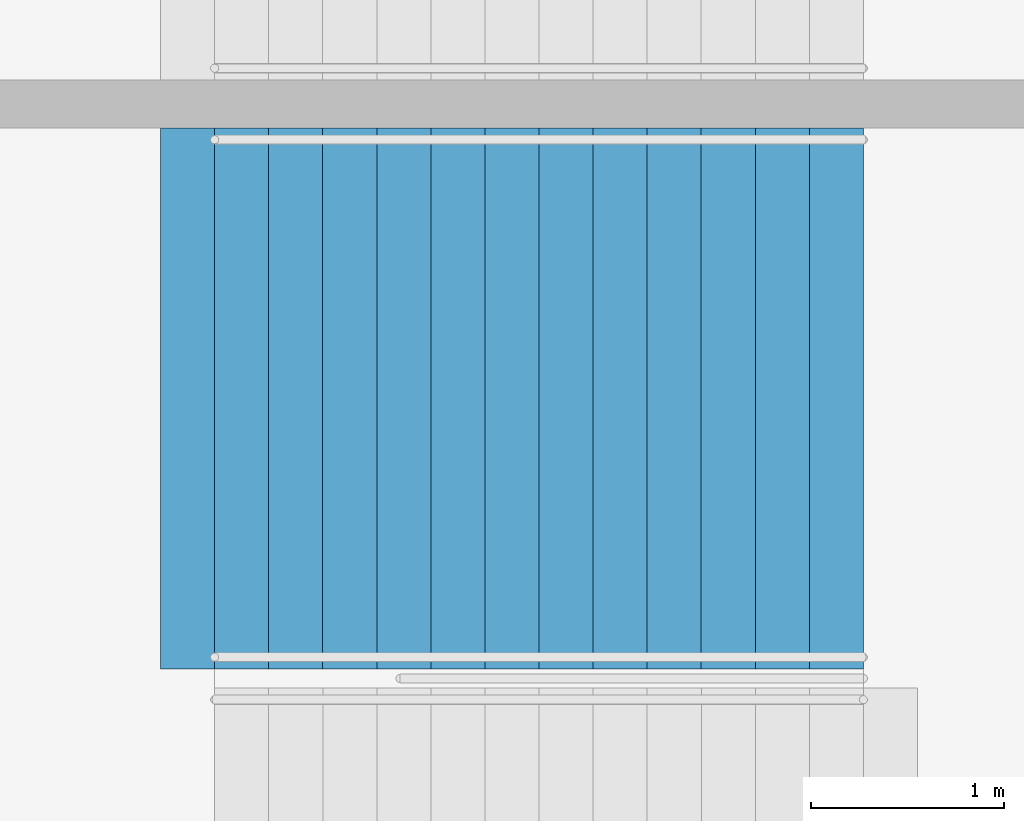
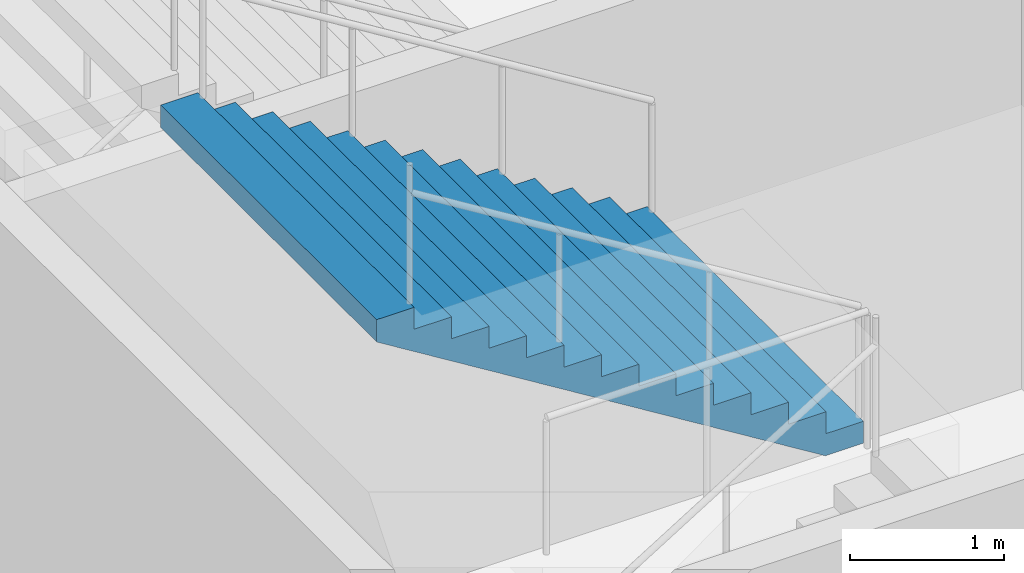
# One storey, part 105 of 175: 1 stair flight, 1 element without a shape of its own.
"""IFC4 building model written with IfcOpenShell, lengths in metres."""

import ifcopenshell
import ifcopenshell.guid

model = None  # the IFC model being written
_history = None  # IfcOwnerHistory: only IFC2X3 demands one
_inside = {}  # id of a spatial element -> (the spatial element, [elements in it])
_under = {}  # id of a project, library or spatial element -> (it, [spatial elements below it])
_declared = {}  # id of a project -> (the project, [libraries it declares])
_typed = {}  # id of a type object -> (the type object, [elements of that type])
_made_of = {}  # id of a material, layer set ... -> (it, [elements and type objects made of it])


def new_model(schema):
    """Start an empty IFC model of exactly this schema.

    Asked for "IFC4X3", IfcOpenShell would pick the latest addendum, in which some entities
    have other attributes; the version numbers below select the first issue.
    IFC2X3 requires an IfcOwnerHistory on every rooted entity: one is made here for all.
    """
    global model, _history
    if schema == "IFC4X3":
        model = ifcopenshell.file(schema_version=(4, 3, 0, 0))
    else:
        model = ifcopenshell.file(schema=schema)
    _inside.clear()
    _under.clear()
    _declared.clear()
    _typed.clear()
    _made_of.clear()
    _history = None
    if model.schema == "IFC2X3":
        org = make("IfcOrganization", Name="unknown")
        user = make(
            "IfcPersonAndOrganization",
            ThePerson=make("IfcPerson", FamilyName="unknown"),
            TheOrganization=org,
        )
        app = make(
            "IfcApplication",
            ApplicationDeveloper=org,
            Version="unknown",
            ApplicationFullName="unknown",
            ApplicationIdentifier="unknown",
        )
        _history = make(
            "IfcOwnerHistory",
            OwningUser=user,
            OwningApplication=app,
            ChangeAction="ADDED",
            CreationDate=0,
        )
    return model


def make(cls, **values):
    """One entity of the class cls with the attributes given. An attribute that is None is left unset."""
    return model.create_entity(
        cls, **{name: value for name, value in values.items() if value is not None}
    )


def rooted(cls, **values):
    """An entity with a GlobalId (a new one), such as an element, a storey or a relation."""
    return make(cls, GlobalId=ifcopenshell.guid.new(), OwnerHistory=_history, **values)


def si_unit(unit_type, name, prefix=None):
    """IfcSIUnit, for example si_unit("LENGTHUNIT", "METRE", prefix="MILLI")."""
    return make("IfcSIUnit", UnitType=unit_type, Prefix=prefix, Name=name)


def assignment(units):
    """IfcUnitAssignment: the units of a project."""
    return None if units is None else make("IfcUnitAssignment", Units=units)


def point(xyz):
    """IfcCartesianPoint."""
    return None if xyz is None else make("IfcCartesianPoint", Coordinates=xyz)


def direction(xyz):
    """IfcDirection."""
    return None if xyz is None else make("IfcDirection", DirectionRatios=xyz)


def frame(location, z_axis=None, x_axis=None):
    """IfcAxis2Placement3D, a coordinate frame: its origin and axes. An axis left out is left unset."""
    return make(
        "IfcAxis2Placement3D",
        Location=point(location),
        Axis=direction(z_axis),
        RefDirection=direction(x_axis),
    )


def origin():
    """The frame at (0, 0, 0) with its axes left unset."""
    return frame((0.0, 0.0, 0.0))


def place(relative_to, where):
    """IfcLocalPlacement: puts the frame where relative to a parent placement (None: the world)."""
    return make(
        "IfcLocalPlacement", PlacementRelTo=relative_to, RelativePlacement=where
    )


def context(
    kind, dimensions, precision=None, world=None, true_north=None, identifier=None
):
    """IfcGeometricRepresentationContext, for example the 3D "Model" context."""
    return make(
        "IfcGeometricRepresentationContext",
        ContextIdentifier=identifier,
        ContextType=kind,
        CoordinateSpaceDimension=dimensions,
        Precision=precision,
        WorldCoordinateSystem=world,
        TrueNorth=true_north,
    )


def subcontext(parent, identifier, kind, view, scale=None):
    """IfcGeometricRepresentationSubContext, for example "Body" below "Model"."""
    return make(
        "IfcGeometricRepresentationSubContext",
        ContextIdentifier=identifier,
        ContextType=kind,
        ParentContext=parent,
        TargetScale=scale,
        TargetView=view,
    )


def project(units=None, contexts=None):
    """IfcProject with its units and contexts."""
    return rooted(
        "IfcProject",
        Name="project",
        RepresentationContexts=contexts,
        UnitsInContext=assignment(units),
    )


def spatial(cls, under=None, at=None, **own):
    """A site, building, storey or space (cls), placed at a placement, below another one or the project."""
    s = rooted(cls, ObjectPlacement=at, **own)
    if under is not None:
        _under.setdefault(under.id(), (under, []))[1].append(s)
    return s


def faces_of(points, faces, orient=None, outer=None):
    """IfcFace entities. A face is a list of loops; a loop is a list of indices into points, from 0.

    orient and outer hold one flag for each loop. By default every Orientation is true, the
    first loop of a face is its IfcFaceOuterBound and the others are IfcFaceBound.
    """
    made = []
    for i, loops in enumerate(faces):
        bounds = []
        for j, loop in enumerate(loops):
            is_outer = j == 0 if outer is None else outer[i][j]
            bounds.append(
                make(
                    "IfcFaceOuterBound" if is_outer else "IfcFaceBound",
                    Bound=make("IfcPolyLoop", Polygon=[points[k] for k in loop]),
                    Orientation=True if orient is None else orient[i][j],
                )
            )
        made.append(make("IfcFace", Bounds=bounds))
    return made


def faceted_brep(points, faces, orient=None, outer=None, voids=None):
    """IfcFacetedBrep: a solid bounded by flat faces; with voids (closed shells), ...WithVoids."""
    shared = [point(p) for p in points]
    hull = make("IfcClosedShell", CfsFaces=faces_of(shared, faces, orient, outer))
    if voids is None:
        return make("IfcFacetedBrep", Outer=hull)
    return make(
        "IfcFacetedBrepWithVoids",
        Outer=hull,
        Voids=[
            make(cls, CfsFaces=faces_of(shared, fs, o, b)) for cls, fs, o, b in voids
        ],
    )


def shape(context_of_items, identifier, shape_type, items):
    """IfcShapeRepresentation: the items that make up one representation, for example the "Body"."""
    return make(
        "IfcShapeRepresentation",
        ContextOfItems=context_of_items,
        RepresentationIdentifier=identifier,
        RepresentationType=shape_type,
        Items=items,
    )


def material(Name=None, Category=None):
    """IfcMaterial."""
    return make("IfcMaterial", Name=Name, Category=Category)


def made_of(thing, what):
    """Note that an element or type object is made of a material, layer set ...; save() writes the relation."""
    if what is not None:
        _made_of.setdefault(what.id(), (what, []))[1].append(thing)
    return thing


def type_object(cls, material=None, **own):
    """A type object (cls), such as IfcWallType, which elements share."""
    return made_of(rooted(cls, **own), material)


def element(
    cls,
    number,
    at=None,
    inside=None,
    cuts=None,
    type_object=None,
    material=None,
    context=None,
    identifier="Body",
    shape_type=None,
    held_by="IfcProductDefinitionShape",
    body=None,
    shapes=None,
    **own,
):
    """One element of the class cls, such as IfcWall. Its Tag is "e" and its number.

    at: its placement. inside: the storey or other place that contains it. cuts: it is an
    opening in that element (IfcRelVoidsElement). A single representation is given by context,
    identifier, shape_type and body (its items); several are given by shapes. held_by: the class
    of the entity that holds the representations. save() writes the other relations.
    """
    e = rooted(cls, Tag="e%d" % number, ObjectPlacement=at, **own)
    if body is not None:
        shapes = [shape(context, identifier, shape_type, body)]
    if shapes is not None:
        e.Representation = make(held_by, Representations=shapes)
    if inside is not None:
        _inside.setdefault(inside.id(), (inside, []))[1].append(e)
    if cuts is not None:
        rooted(
            "IfcRelVoidsElement", RelatingBuildingElement=cuts, RelatedOpeningElement=e
        )
    if type_object is not None:
        _typed.setdefault(type_object.id(), (type_object, []))[1].append(e)
    return made_of(e, material)


def aggregate(whole, parts):
    """IfcRelAggregates: a whole, such as a stair, and the parts it consists of."""
    return rooted("IfcRelAggregates", RelatingObject=whole, RelatedObjects=parts)


def save(model, path):
    """Write the relations noted so far, then the file.

    IfcRelAggregates (storeys below a building ...), IfcRelContainedInSpatialStructure (elements
    in a storey), IfcRelDefinesByType, IfcRelAssociatesMaterial and IfcRelDeclares: one each for
    every whole, place, type object, material and project.
    """
    for whole, parts in _under.values():
        aggregate(whole, parts)
    for where, things in _inside.values():
        rooted(
            "IfcRelContainedInSpatialStructure",
            RelatedElements=things,
            RelatingStructure=where,
        )
    for kind, things in _typed.values():
        rooted("IfcRelDefinesByType", RelatedObjects=things, RelatingType=kind)
    for what, things in _made_of.values():
        rooted("IfcRelAssociatesMaterial", RelatedObjects=things, RelatingMaterial=what)
    for by, libraries in _declared.values():
        rooted("IfcRelDeclares", RelatingContext=by, RelatedDefinitions=libraries)
    model.write(path)


model = new_model("IFC4")

# Units and contexts
model_context = context("Model", 3, precision=1e-05, world=origin(), true_north=direction((0.0, 1.0)))
body_context = subcontext(model_context, "Body", "Model", "MODEL_VIEW")
ifc_project = project(units=[si_unit("LENGTHUNIT", "METRE"), si_unit("AREAUNIT", "SQUARE_METRE"), si_unit("VOLUMEUNIT", "CUBIC_METRE"), si_unit("PLANEANGLEUNIT", "RADIAN"), si_unit("MASSUNIT", "GRAM", prefix="KILO")], contexts=[model_context])

# Site, building, storey
site_placement = place(None, origin())
site = spatial("IfcSite", under=ifc_project, at=site_placement, CompositionType="ELEMENT")
building_placement = place(site_placement, origin())
building = spatial("IfcBuilding", under=site, at=building_placement, Name="Ogive Plaza Stadium", CompositionType="ELEMENT")
storey_placement = place(building_placement, origin())
storey = spatial("IfcBuildingStorey", under=building, at=storey_placement, Name="L00", CompositionType="ELEMENT", Elevation=0.0)

# Stair, stair flight
ifc_material_1 = material(Name="Concrete C40/50", Category="concrete")
stair_type = type_object("IfcStairType", Name="Exit stair", PredefinedType="STRAIGHT_RUN_STAIR", material=ifc_material_1)
stair_placement = place(storey_placement, origin())
stair = element("IfcStair", 1, at=stair_placement, inside=storey, type_object=stair_type, Name="Exit stair ST04A L00 to L01", PredefinedType="STRAIGHT_RUN_STAIR")
ifc_material_2 = material(Name="Concrete C40/50", Category="concrete")
stair_flight_type = type_object("IfcStairFlightType", Name="Exit stair flight", PredefinedType="STRAIGHT", material=ifc_material_2)
stair_flight_placement = place(storey_placement, frame((79.7099609375, 5.97509765625, 2.25), z_axis=(0.0, 0.0, 1.0), x_axis=(-1.0, 0.0, 0.0)))
stair_flight = element("IfcStairFlight", 2, at=stair_flight_placement, type_object=stair_flight_type, Name="ST04A flight 2", NumberOfRisers=13, NumberOfTreads=12, PredefinedType="STRAIGHT", RiserHeight=0.173076923, TreadLength=0.28, context=body_context, shape_type="Brep", body=[
    faceted_brep([(0.28515625, -1.39990234375, 0.0), (3.639892578125, -1.39990234375, 2.07373046875), (3.639892578125, -1.39990234375, 2.25), (3.360107421875, -1.39990234375, 2.25), (3.360107421875, -1.39990234375, 2.076904296875), (3.080078125, -1.39990234375, 2.076904296875), (3.080078125, -1.39990234375, 1.90380859375), (2.800048828125, -1.39990234375, 1.90380859375), (2.800048828125, -1.39990234375, 1.730712890625), (2.52001953125, -1.39990234375, 1.730712890625), (2.52001953125, -1.39990234375, 1.5576171875), (2.239990234375, -1.39990234375, 1.5576171875), (2.239990234375, -1.39990234375, 1.384521484375), (1.9599609375, -1.39990234375, 1.384521484375), (1.9599609375, -1.39990234375, 1.21142578125), (1.679931640625, -1.39990234375, 1.21142578125), (1.679931640625, -1.39990234375, 1.03857421875), (1.39990234375, -1.39990234375, 1.03857421875), (1.39990234375, -1.39990234375, 0.865478515625), (1.1201171875, -1.39990234375, 0.865478515625), (1.1201171875, -1.39990234375, 0.6923828125), (0.840087890625, -1.39990234375, 0.6923828125), (0.840087890625, -1.39990234375, 0.519287109375), (0.56005859375, -1.39990234375, 0.519287109375), (0.56005859375, -1.39990234375, 0.34619140625), (0.280029296875, -1.39990234375, 0.34619140625), (0.280029296875, -1.39990234375, 0.173095703125), (0.0, -1.39990234375, 0.173095703125), (0.0, -1.39990234375, 0.0), (0.0, 1.39990234375, 0.0), (0.0, 1.39990234375, 0.173095703125), (0.280029296875, 1.39990234375, 0.173095703125), (0.280029296875, 1.39990234375, 0.34619140625), (0.56005859375, 1.39990234375, 0.34619140625), (0.56005859375, 1.39990234375, 0.519287109375), (0.840087890625, 1.39990234375, 0.519287109375), (0.840087890625, 1.39990234375, 0.6923828125), (1.1201171875, 1.39990234375, 0.6923828125), (1.1201171875, 1.39990234375, 0.865478515625), (1.39990234375, 1.39990234375, 0.865478515625), (1.39990234375, 1.39990234375, 1.03857421875), (1.679931640625, 1.39990234375, 1.03857421875), (1.679931640625, 1.39990234375, 1.21142578125), (1.9599609375, 1.39990234375, 1.21142578125), (1.9599609375, 1.39990234375, 1.384521484375), (2.239990234375, 1.39990234375, 1.384521484375), (2.239990234375, 1.39990234375, 1.5576171875), (2.52001953125, 1.39990234375, 1.5576171875), (2.52001953125, 1.39990234375, 1.730712890625), (2.800048828125, 1.39990234375, 1.730712890625), (2.800048828125, 1.39990234375, 1.90380859375), (3.080078125, 1.39990234375, 1.90380859375), (3.080078125, 1.39990234375, 2.076904296875), (3.360107421875, 1.39990234375, 2.076904296875), (3.360107421875, 1.39990234375, 2.25), (3.639892578125, 1.39990234375, 2.25), (3.639892578125, 1.39990234375, 2.07373046875), (0.28515625, 1.39990234375, 0.0), (0.28515625, -1.0888671875, 0.0), (3.639892578125, -1.0888671875, 2.07373046875), (0.28515625, -0.77783203125, 0.0), (3.639892578125, -0.77783203125, 2.07373046875), (0.28515625, -0.466796875, 0.0), (3.639892578125, -0.466796875, 2.07373046875), (0.28515625, -0.155517578125, 0.0), (3.639892578125, -0.155517578125, 2.07373046875), (0.28515625, 0.155517578125, 0.0), (3.639892578125, 0.155517578125, 2.07373046875), (0.28515625, 0.466796875, 0.0), (3.639892578125, 0.466796875, 2.07373046875), (0.28515625, 0.77783203125, 0.0), (3.639892578125, 0.77783203125, 2.07373046875), (0.28515625, 1.0888671875, 0.0), (3.639892578125, 1.0888671875, 2.07373046875), (3.639892578125, -1.0888671875, 2.25), (3.639892578125, -0.77783203125, 2.25), (3.639892578125, -0.466796875, 2.25), (3.639892578125, -0.155517578125, 2.25), (3.639892578125, 0.155517578125, 2.25), (3.639892578125, 0.466796875, 2.25), (3.639892578125, 0.77783203125, 2.25), (3.639892578125, 1.0888671875, 2.25), (3.360107421875, -1.0888671875, 2.25), (3.360107421875, -0.77783203125, 2.25), (3.360107421875, -0.466796875, 2.25), (3.360107421875, -0.155517578125, 2.25), (3.360107421875, 0.155517578125, 2.25), (3.360107421875, 0.466796875, 2.25), (3.360107421875, 0.77783203125, 2.25), (3.360107421875, 1.0888671875, 2.25), (3.360107421875, -1.0888671875, 2.076904296875), (3.360107421875, -0.77783203125, 2.076904296875), (3.360107421875, -0.466796875, 2.076904296875), (3.360107421875, -0.155517578125, 2.076904296875), (3.360107421875, 0.155517578125, 2.076904296875), (3.360107421875, 0.466796875, 2.076904296875), (3.360107421875, 0.77783203125, 2.076904296875), (3.360107421875, 1.0888671875, 2.076904296875), (3.080078125, -1.0888671875, 2.076904296875), (3.080078125, -0.77783203125, 2.076904296875), (3.080078125, -0.466796875, 2.076904296875), (3.080078125, -0.155517578125, 2.076904296875), (3.080078125, 0.155517578125, 2.076904296875), (3.080078125, 0.466796875, 2.076904296875), (3.080078125, 0.77783203125, 2.076904296875), (3.080078125, 1.0888671875, 2.076904296875), (3.080078125, -1.0888671875, 1.90380859375), (3.080078125, -0.77783203125, 1.90380859375), (3.080078125, -0.466796875, 1.90380859375), (3.080078125, -0.155517578125, 1.90380859375), (3.080078125, 0.155517578125, 1.90380859375), (3.080078125, 0.466796875, 1.90380859375), (3.080078125, 0.77783203125, 1.90380859375), (3.080078125, 1.0888671875, 1.90380859375), (2.800048828125, -1.0888671875, 1.90380859375), (2.800048828125, -0.77783203125, 1.90380859375), (2.800048828125, -0.466796875, 1.90380859375), (2.800048828125, -0.155517578125, 1.90380859375), (2.800048828125, 0.155517578125, 1.90380859375), (2.800048828125, 0.466796875, 1.90380859375), (2.800048828125, 0.77783203125, 1.90380859375), (2.800048828125, 1.0888671875, 1.90380859375), (2.800048828125, -1.0888671875, 1.730712890625), (2.800048828125, -0.77783203125, 1.730712890625), (2.800048828125, -0.466796875, 1.730712890625), (2.800048828125, -0.155517578125, 1.730712890625), (2.800048828125, 0.155517578125, 1.730712890625), (2.800048828125, 0.466796875, 1.730712890625), (2.800048828125, 0.77783203125, 1.730712890625), (2.800048828125, 1.0888671875, 1.730712890625), (2.52001953125, -1.0888671875, 1.730712890625), (2.52001953125, -0.77783203125, 1.730712890625), (2.52001953125, -0.466796875, 1.730712890625), (2.52001953125, -0.155517578125, 1.730712890625), (2.52001953125, 0.155517578125, 1.730712890625), (2.52001953125, 0.466796875, 1.730712890625), (2.52001953125, 0.77783203125, 1.730712890625), (2.52001953125, 1.0888671875, 1.730712890625), (2.52001953125, -1.0888671875, 1.5576171875), (2.52001953125, -0.77783203125, 1.5576171875), (2.52001953125, -0.466796875, 1.5576171875), (2.52001953125, -0.155517578125, 1.5576171875), (2.52001953125, 0.155517578125, 1.5576171875), (2.52001953125, 0.466796875, 1.5576171875), (2.52001953125, 0.77783203125, 1.5576171875), (2.52001953125, 1.0888671875, 1.5576171875), (2.239990234375, -1.0888671875, 1.5576171875), (2.239990234375, -0.77783203125, 1.5576171875), (2.239990234375, -0.466796875, 1.5576171875), (2.239990234375, -0.155517578125, 1.5576171875), (2.239990234375, 0.155517578125, 1.5576171875), (2.239990234375, 0.466796875, 1.5576171875), (2.239990234375, 0.77783203125, 1.5576171875), (2.239990234375, 1.0888671875, 1.5576171875), (2.239990234375, -1.0888671875, 1.384521484375), (2.239990234375, -0.77783203125, 1.384521484375), (2.239990234375, -0.466796875, 1.384521484375), (2.239990234375, -0.155517578125, 1.384521484375), (2.239990234375, 0.155517578125, 1.384521484375), (2.239990234375, 0.466796875, 1.384521484375), (2.239990234375, 0.77783203125, 1.384521484375), (2.239990234375, 1.0888671875, 1.384521484375), (1.9599609375, -1.0888671875, 1.384521484375), (1.9599609375, -0.77783203125, 1.384521484375), (1.9599609375, -0.466796875, 1.384521484375), (1.9599609375, -0.155517578125, 1.384521484375), (1.9599609375, 0.155517578125, 1.384521484375), (1.9599609375, 0.466796875, 1.384521484375), (1.9599609375, 0.77783203125, 1.384521484375), (1.9599609375, 1.0888671875, 1.384521484375), (1.9599609375, -1.0888671875, 1.21142578125), (1.9599609375, -0.77783203125, 1.21142578125), (1.9599609375, -0.466796875, 1.21142578125), (1.9599609375, -0.155517578125, 1.21142578125), (1.9599609375, 0.155517578125, 1.21142578125), (1.9599609375, 0.466796875, 1.21142578125), (1.9599609375, 0.77783203125, 1.21142578125), (1.9599609375, 1.0888671875, 1.21142578125), (1.679931640625, -1.0888671875, 1.21142578125), (1.679931640625, -0.77783203125, 1.21142578125), (1.679931640625, -0.466796875, 1.21142578125), (1.679931640625, -0.155517578125, 1.21142578125), (1.679931640625, 0.155517578125, 1.21142578125), (1.679931640625, 0.466796875, 1.21142578125), (1.679931640625, 0.77783203125, 1.21142578125), (1.679931640625, 1.0888671875, 1.21142578125), (1.679931640625, -1.0888671875, 1.03857421875), (1.679931640625, -0.77783203125, 1.03857421875), (1.679931640625, -0.466796875, 1.03857421875), (1.679931640625, -0.155517578125, 1.03857421875), (1.679931640625, 0.155517578125, 1.03857421875), (1.679931640625, 0.466796875, 1.03857421875), (1.679931640625, 0.77783203125, 1.03857421875), (1.679931640625, 1.0888671875, 1.03857421875), (1.39990234375, -1.0888671875, 1.03857421875), (1.39990234375, -0.77783203125, 1.03857421875), (1.39990234375, -0.466796875, 1.03857421875), (1.39990234375, -0.155517578125, 1.03857421875), (1.39990234375, 0.155517578125, 1.03857421875), (1.39990234375, 0.466796875, 1.03857421875), (1.39990234375, 0.77783203125, 1.03857421875), (1.39990234375, 1.0888671875, 1.03857421875), (1.39990234375, -1.0888671875, 0.865478515625), (1.39990234375, -0.77783203125, 0.865478515625), (1.39990234375, -0.466796875, 0.865478515625), (1.39990234375, -0.155517578125, 0.865478515625), (1.39990234375, 0.155517578125, 0.865478515625), (1.39990234375, 0.466796875, 0.865478515625), (1.39990234375, 0.77783203125, 0.865478515625), (1.39990234375, 1.0888671875, 0.865478515625), (1.1201171875, -1.0888671875, 0.865478515625), (1.1201171875, -0.77783203125, 0.865478515625), (1.1201171875, -0.466796875, 0.865478515625), (1.1201171875, -0.155517578125, 0.865478515625), (1.1201171875, 0.155517578125, 0.865478515625), (1.1201171875, 0.466796875, 0.865478515625), (1.1201171875, 0.77783203125, 0.865478515625), (1.1201171875, 1.0888671875, 0.865478515625), (1.1201171875, -1.0888671875, 0.6923828125), (1.1201171875, -0.77783203125, 0.6923828125), (1.1201171875, -0.466796875, 0.6923828125), (1.1201171875, -0.155517578125, 0.6923828125), (1.1201171875, 0.155517578125, 0.6923828125), (1.1201171875, 0.466796875, 0.6923828125), (1.1201171875, 0.77783203125, 0.6923828125), (1.1201171875, 1.0888671875, 0.6923828125), (0.840087890625, -1.0888671875, 0.6923828125), (0.840087890625, -0.77783203125, 0.6923828125), (0.840087890625, -0.466796875, 0.6923828125), (0.840087890625, -0.155517578125, 0.6923828125), (0.840087890625, 0.155517578125, 0.6923828125), (0.840087890625, 0.466796875, 0.6923828125), (0.840087890625, 0.77783203125, 0.6923828125), (0.840087890625, 1.0888671875, 0.6923828125), (0.840087890625, -1.0888671875, 0.519287109375), (0.840087890625, -0.77783203125, 0.519287109375), (0.840087890625, -0.466796875, 0.519287109375), (0.840087890625, -0.155517578125, 0.519287109375), (0.840087890625, 0.155517578125, 0.519287109375), (0.840087890625, 0.466796875, 0.519287109375), (0.840087890625, 0.77783203125, 0.519287109375), (0.840087890625, 1.0888671875, 0.519287109375), (0.56005859375, -1.0888671875, 0.519287109375), (0.56005859375, -0.77783203125, 0.519287109375), (0.56005859375, -0.466796875, 0.519287109375), (0.56005859375, -0.155517578125, 0.519287109375), (0.56005859375, 0.155517578125, 0.519287109375), (0.56005859375, 0.466796875, 0.519287109375), (0.56005859375, 0.77783203125, 0.519287109375), (0.56005859375, 1.0888671875, 0.519287109375), (0.56005859375, -1.0888671875, 0.34619140625), (0.56005859375, -0.77783203125, 0.34619140625), (0.56005859375, -0.466796875, 0.34619140625), (0.56005859375, -0.155517578125, 0.34619140625), (0.56005859375, 0.155517578125, 0.34619140625), (0.56005859375, 0.466796875, 0.34619140625), (0.56005859375, 0.77783203125, 0.34619140625), (0.56005859375, 1.0888671875, 0.34619140625), (0.280029296875, -1.0888671875, 0.34619140625), (0.280029296875, -0.77783203125, 0.34619140625), (0.280029296875, -0.466796875, 0.34619140625), (0.280029296875, -0.155517578125, 0.34619140625), (0.280029296875, 0.155517578125, 0.34619140625), (0.280029296875, 0.466796875, 0.34619140625), (0.280029296875, 0.77783203125, 0.34619140625), (0.280029296875, 1.0888671875, 0.34619140625), (0.280029296875, -1.0888671875, 0.173095703125), (0.280029296875, -0.77783203125, 0.173095703125), (0.280029296875, -0.466796875, 0.173095703125), (0.280029296875, -0.155517578125, 0.173095703125), (0.280029296875, 0.155517578125, 0.173095703125), (0.280029296875, 0.466796875, 0.173095703125), (0.280029296875, 0.77783203125, 0.173095703125), (0.280029296875, 1.0888671875, 0.173095703125), (0.0, -1.0888671875, 0.173095703125), (0.0, -0.77783203125, 0.173095703125), (0.0, -0.466796875, 0.173095703125), (0.0, -0.155517578125, 0.173095703125), (0.0, 0.155517578125, 0.173095703125), (0.0, 0.466796875, 0.173095703125), (0.0, 0.77783203125, 0.173095703125), (0.0, 1.0888671875, 0.173095703125), (0.0, -1.0888671875, 0.0), (0.0, -0.77783203125, 0.0), (0.0, -0.466796875, 0.0), (0.0, -0.155517578125, 0.0), (0.0, 0.155517578125, 0.0), (0.0, 0.466796875, 0.0), (0.0, 0.77783203125, 0.0), (0.0, 1.0888671875, 0.0)], [[[0, 1, 2, 3, 4, 5, 6, 7, 8, 9, 10, 11, 12, 13, 14, 15, 16, 17, 18, 19, 20, 21, 22, 23, 24, 25, 26, 27, 28]], [[29, 30, 31, 32, 33, 34, 35, 36, 37, 38, 39, 40, 41, 42, 43, 44, 45, 46, 47, 48, 49, 50, 51, 52, 53, 54, 55, 56, 57]], [[0, 58, 59, 1]], [[58, 60, 61, 59]], [[60, 62, 63, 61]], [[62, 64, 65, 63]], [[64, 66, 67, 65]], [[66, 68, 69, 67]], [[68, 70, 71, 69]], [[70, 72, 73, 71]], [[72, 57, 56, 73]], [[1, 59, 74, 2]], [[59, 61, 75, 74]], [[61, 63, 76, 75]], [[63, 65, 77, 76]], [[65, 67, 78, 77]], [[67, 69, 79, 78]], [[69, 71, 80, 79]], [[71, 73, 81, 80]], [[73, 56, 55, 81]], [[2, 74, 82, 3]], [[74, 75, 83, 82]], [[75, 76, 84, 83]], [[76, 77, 85, 84]], [[77, 78, 86, 85]], [[78, 79, 87, 86]], [[79, 80, 88, 87]], [[80, 81, 89, 88]], [[81, 55, 54, 89]], [[3, 82, 90, 4]], [[82, 83, 91, 90]], [[83, 84, 92, 91]], [[84, 85, 93, 92]], [[85, 86, 94, 93]], [[86, 87, 95, 94]], [[87, 88, 96, 95]], [[88, 89, 97, 96]], [[89, 54, 53, 97]], [[4, 90, 98, 5]], [[90, 91, 99, 98]], [[91, 92, 100, 99]], [[92, 93, 101, 100]], [[93, 94, 102, 101]], [[94, 95, 103, 102]], [[95, 96, 104, 103]], [[96, 97, 105, 104]], [[97, 53, 52, 105]], [[5, 98, 106, 6]], [[98, 99, 107, 106]], [[99, 100, 108, 107]], [[100, 101, 109, 108]], [[101, 102, 110, 109]], [[102, 103, 111, 110]], [[103, 104, 112, 111]], [[104, 105, 113, 112]], [[105, 52, 51, 113]], [[6, 106, 114, 7]], [[106, 107, 115, 114]], [[107, 108, 116, 115]], [[108, 109, 117, 116]], [[109, 110, 118, 117]], [[110, 111, 119, 118]], [[111, 112, 120, 119]], [[112, 113, 121, 120]], [[113, 51, 50, 121]], [[7, 114, 122, 8]], [[114, 115, 123, 122]], [[115, 116, 124, 123]], [[116, 117, 125, 124]], [[117, 118, 126, 125]], [[118, 119, 127, 126]], [[119, 120, 128, 127]], [[120, 121, 129, 128]], [[121, 50, 49, 129]], [[8, 122, 130, 9]], [[122, 123, 131, 130]], [[123, 124, 132, 131]], [[124, 125, 133, 132]], [[125, 126, 134, 133]], [[126, 127, 135, 134]], [[127, 128, 136, 135]], [[128, 129, 137, 136]], [[129, 49, 48, 137]], [[9, 130, 138, 10]], [[130, 131, 139, 138]], [[131, 132, 140, 139]], [[132, 133, 141, 140]], [[133, 134, 142, 141]], [[134, 135, 143, 142]], [[135, 136, 144, 143]], [[136, 137, 145, 144]], [[137, 48, 47, 145]], [[10, 138, 146, 11]], [[138, 139, 147, 146]], [[139, 140, 148, 147]], [[140, 141, 149, 148]], [[141, 142, 150, 149]], [[142, 143, 151, 150]], [[143, 144, 152, 151]], [[144, 145, 153, 152]], [[145, 47, 46, 153]], [[11, 146, 154, 12]], [[146, 147, 155, 154]], [[147, 148, 156, 155]], [[148, 149, 157, 156]], [[149, 150, 158, 157]], [[150, 151, 159, 158]], [[151, 152, 160, 159]], [[152, 153, 161, 160]], [[153, 46, 45, 161]], [[12, 154, 162, 13]], [[154, 155, 163, 162]], [[155, 156, 164, 163]], [[156, 157, 165, 164]], [[157, 158, 166, 165]], [[158, 159, 167, 166]], [[159, 160, 168, 167]], [[160, 161, 169, 168]], [[161, 45, 44, 169]], [[13, 162, 170, 14]], [[162, 163, 171, 170]], [[163, 164, 172, 171]], [[164, 165, 173, 172]], [[165, 166, 174, 173]], [[166, 167, 175, 174]], [[167, 168, 176, 175]], [[168, 169, 177, 176]], [[169, 44, 43, 177]], [[14, 170, 178, 15]], [[170, 171, 179, 178]], [[171, 172, 180, 179]], [[172, 173, 181, 180]], [[173, 174, 182, 181]], [[174, 175, 183, 182]], [[175, 176, 184, 183]], [[176, 177, 185, 184]], [[177, 43, 42, 185]], [[15, 178, 186, 16]], [[178, 179, 187, 186]], [[179, 180, 188, 187]], [[180, 181, 189, 188]], [[181, 182, 190, 189]], [[182, 183, 191, 190]], [[183, 184, 192, 191]], [[184, 185, 193, 192]], [[185, 42, 41, 193]], [[16, 186, 194, 17]], [[186, 187, 195, 194]], [[187, 188, 196, 195]], [[188, 189, 197, 196]], [[189, 190, 198, 197]], [[190, 191, 199, 198]], [[191, 192, 200, 199]], [[192, 193, 201, 200]], [[193, 41, 40, 201]], [[17, 194, 202, 18]], [[194, 195, 203, 202]], [[195, 196, 204, 203]], [[196, 197, 205, 204]], [[197, 198, 206, 205]], [[198, 199, 207, 206]], [[199, 200, 208, 207]], [[200, 201, 209, 208]], [[201, 40, 39, 209]], [[18, 202, 210, 19]], [[202, 203, 211, 210]], [[203, 204, 212, 211]], [[204, 205, 213, 212]], [[205, 206, 214, 213]], [[206, 207, 215, 214]], [[207, 208, 216, 215]], [[208, 209, 217, 216]], [[209, 39, 38, 217]], [[19, 210, 218, 20]], [[210, 211, 219, 218]], [[211, 212, 220, 219]], [[212, 213, 221, 220]], [[213, 214, 222, 221]], [[214, 215, 223, 222]], [[215, 216, 224, 223]], [[216, 217, 225, 224]], [[217, 38, 37, 225]], [[20, 218, 226, 21]], [[218, 219, 227, 226]], [[219, 220, 228, 227]], [[220, 221, 229, 228]], [[221, 222, 230, 229]], [[222, 223, 231, 230]], [[223, 224, 232, 231]], [[224, 225, 233, 232]], [[225, 37, 36, 233]], [[21, 226, 234, 22]], [[226, 227, 235, 234]], [[227, 228, 236, 235]], [[228, 229, 237, 236]], [[229, 230, 238, 237]], [[230, 231, 239, 238]], [[231, 232, 240, 239]], [[232, 233, 241, 240]], [[233, 36, 35, 241]], [[22, 234, 242, 23]], [[234, 235, 243, 242]], [[235, 236, 244, 243]], [[236, 237, 245, 244]], [[237, 238, 246, 245]], [[238, 239, 247, 246]], [[239, 240, 248, 247]], [[240, 241, 249, 248]], [[241, 35, 34, 249]], [[23, 242, 250, 24]], [[242, 243, 251, 250]], [[243, 244, 252, 251]], [[244, 245, 253, 252]], [[245, 246, 254, 253]], [[246, 247, 255, 254]], [[247, 248, 256, 255]], [[248, 249, 257, 256]], [[249, 34, 33, 257]], [[24, 250, 258, 25]], [[250, 251, 259, 258]], [[251, 252, 260, 259]], [[252, 253, 261, 260]], [[253, 254, 262, 261]], [[254, 255, 263, 262]], [[255, 256, 264, 263]], [[256, 257, 265, 264]], [[257, 33, 32, 265]], [[25, 258, 266, 26]], [[258, 259, 267, 266]], [[259, 260, 268, 267]], [[260, 261, 269, 268]], [[261, 262, 270, 269]], [[262, 263, 271, 270]], [[263, 264, 272, 271]], [[264, 265, 273, 272]], [[265, 32, 31, 273]], [[26, 266, 274, 27]], [[266, 267, 275, 274]], [[267, 268, 276, 275]], [[268, 269, 277, 276]], [[269, 270, 278, 277]], [[270, 271, 279, 278]], [[271, 272, 280, 279]], [[272, 273, 281, 280]], [[273, 31, 30, 281]], [[27, 274, 282, 28]], [[274, 275, 283, 282]], [[275, 276, 284, 283]], [[276, 277, 285, 284]], [[277, 278, 286, 285]], [[278, 279, 287, 286]], [[279, 280, 288, 287]], [[280, 281, 289, 288]], [[281, 30, 29, 289]], [[28, 282, 58, 0]], [[282, 283, 60, 58]], [[283, 284, 62, 60]], [[284, 285, 64, 62]], [[285, 286, 66, 64]], [[286, 287, 68, 66]], [[287, 288, 70, 68]], [[288, 289, 72, 70]], [[289, 29, 57, 72]]]),
])
aggregate(stair, [stair_flight])

save(model, "model.ifc")
